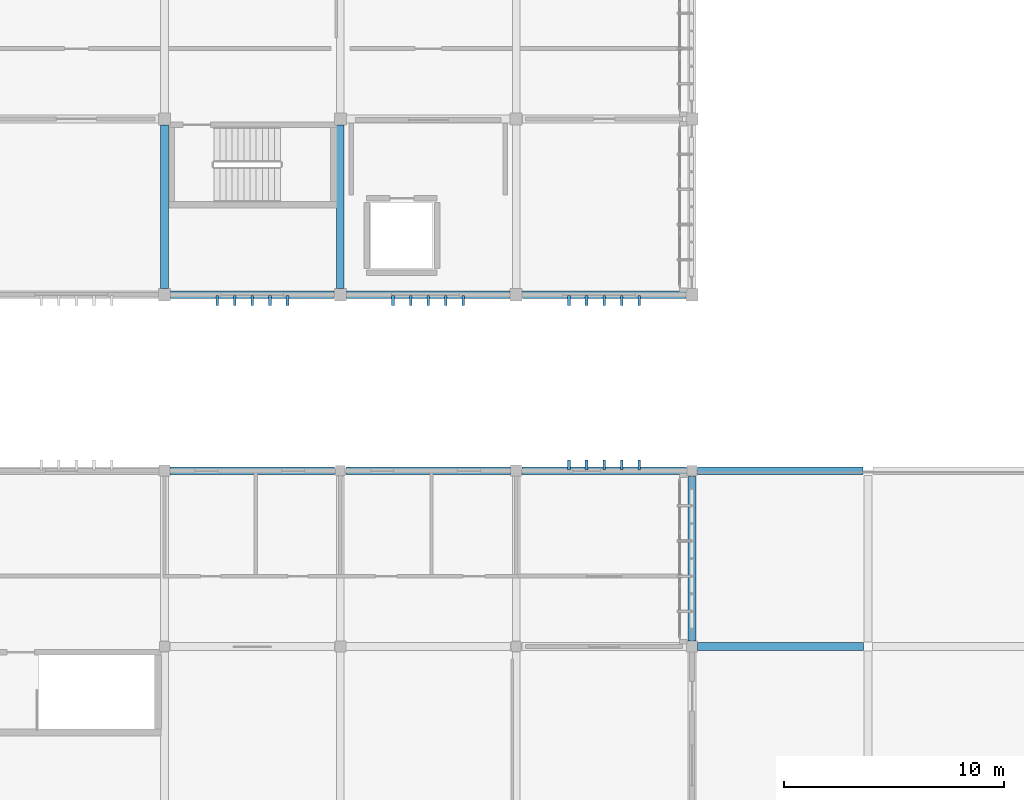
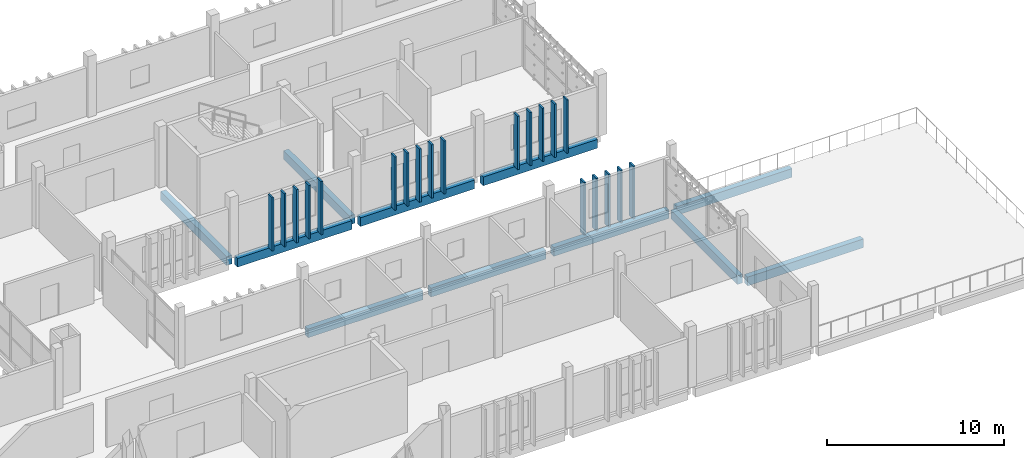
# One storey, part 13 of 32: 20 members, 11 beams.
"""IFC4 building model written with IfcOpenShell, lengths in metres."""

from ifc_helpers import new_model, si_unit, direction, frame, origin, origin_2d, place, context, subcontext, project, spatial, rectangle, extrude, material, material_profile, profile_set, type_object, element, save


model = new_model("IFC4")

# Units and contexts
model_context = context("Model", 3, precision=1e-05, world=origin(), true_north=direction((0.0, 1.0)))
body_context = subcontext(model_context, "Body", "Model", "MODEL_VIEW")
ifc_project = project(units=[si_unit("LENGTHUNIT", "METRE"), si_unit("AREAUNIT", "SQUARE_METRE"), si_unit("VOLUMEUNIT", "CUBIC_METRE"), si_unit("PLANEANGLEUNIT", "RADIAN"), si_unit("MASSUNIT", "GRAM", prefix="KILO")], contexts=[model_context])

# Site, building, storey
site_placement = place(None, origin())
site = spatial("IfcSite", under=ifc_project, at=site_placement, CompositionType="ELEMENT")
building_placement = place(site_placement, origin())
building = spatial("IfcBuilding", under=site, at=building_placement, Name="Jelvoka-Kovrelna Polytechnic", CompositionType="ELEMENT")
storey_placement = place(building_placement, frame((0.0, 0.0, 26.39990234375)))
storey = spatial("IfcBuildingStorey", under=building, at=storey_placement, Name="L07", CompositionType="ELEMENT", Elevation=26.39990234375)

# Beams
ifc_material_1 = material(Name="Concrete C35/45", Category="concrete")
ifc_material_profile_1 = material_profile(ifc_material_1, rectangle(XDim=0.35009765625, YDim=0.60009765625, at=origin_2d()), Name="RC 350x600")
ifc_profile_set_1 = profile_set([ifc_material_profile_1], Name="Concrete C35/45")
beam_type_1 = type_object("IfcBeamType", Name="Beam_RC_350x600", PredefinedType="BEAM", material=ifc_profile_set_1)
beam_1_placement = place(storey_placement, frame((184.0, 40.2548828125, -0.539794921875), z_axis=(0.0, 1.0, 0.0), x_axis=(-1.0, 0.0, 0.0)))
element("IfcBeam", 1, at=beam_1_placement, inside=storey, type_object=beam_type_1, Name="L07 beam 1826", PredefinedType="BEAM", context=body_context, shape_type="SweptSolid", body=[
    extrude(rectangle(XDim=0.35009765625, YDim=0.60009765625, at=origin_2d()), origin(), (0.0, 0.0, 1.0), 7.490234375),
])
for number, where, z_axis, x_axis, name in (
    (2, (160.0, 56.280029296875, -0.539794921875), (0.0, 1.0, 0.0), (-1.0, 0.0, 0.0), "L07 beam 1893"),
    (3, (168.0, 56.280029296875, -0.539794921875), (0.0, 1.0, 0.0), (-1.0, 0.0, 0.0), "L07 beam 1895"),
):
    element("IfcBeam", number, at=place(storey_placement, frame(where, z_axis=z_axis, x_axis=x_axis)), inside=storey, type_object=beam_type_1, Name=name, PredefinedType="BEAM", context=body_context, shape_type="SweptSolid", body=[
        extrude(rectangle(XDim=0.35009765625, YDim=0.60009765625, at=origin_2d()), origin(), (0.0, 0.0, 1.0), 7.43994140625),
    ])
beam_2_placement = place(storey_placement, frame((184.2548828125, 40.0, -0.52001953125), z_axis=(1.0, 0.0, 0.0), x_axis=(0.0, 1.0, 0.0)))
element("IfcBeam", 4, at=beam_2_placement, inside=storey, type_object=beam_type_1, Name="L07 beam 1905", PredefinedType="BEAM", context=body_context, shape_type="SweptSolid", body=[
    extrude(rectangle(XDim=0.35009765625, YDim=0.60009765625, at=origin_2d()), origin(), (0.0, 0.0, 1.0), 7.5400390625),
])

# Members
ifc_material_2 = material(Name="Precast concrete C40/50", Category="concrete")
ifc_material_profile_2 = material_profile(ifc_material_2, rectangle(XDim=0.1201171875, YDim=0.449951171875, at=origin_2d()), Name="PC 120x450")
ifc_profile_set_2 = profile_set([ifc_material_profile_2], Name="Precast concrete C40/50")
member_type = type_object("IfcMemberType", Name="Louvre_Fin_120x450", PredefinedType="USERDEFINED", material=ifc_profile_set_2)
for number, where, z_axis, x_axis, name in (
    (5, (178.39990234375, 48.264892578125, -0.27001953125), (0.0, 0.0, 1.0), (1.0, 0.0, 0.0), "L07 B2E north vertical solar louvre fin 1201"),
    (6, (179.199951171875, 48.264892578125, -0.27001953125), (0.0, 0.0, 1.0), (1.0, 0.0, 0.0), "L07 B2E north vertical solar louvre fin 1202"),
    (7, (180.0, 48.264892578125, -0.27001953125), (0.0, 0.0, 1.0), (1.0, 0.0, 0.0), "L07 B2E north vertical solar louvre fin 1203"),
    (8, (180.800048828125, 48.264892578125, -0.27001953125), (0.0, 0.0, 1.0), (1.0, 0.0, 0.0), "L07 B2E north vertical solar louvre fin 1204"),
    (9, (181.60009765625, 48.264892578125, -0.27001953125), (0.0, 0.0, 1.0), (1.0, 0.0, 0.0), "L07 B2E north vertical solar louvre fin 1205"),
):
    element("IfcMember", number, at=place(storey_placement, frame(where, z_axis=z_axis, x_axis=x_axis)), inside=storey, type_object=member_type, Name=name, ObjectType="SUNSHADE", PredefinedType="USERDEFINED", context=body_context, shape_type="SweptSolid", body=[
        extrude(rectangle(XDim=0.1201171875, YDim=0.449951171875, at=origin_2d()), origin(), (0.0, 0.0, 1.0), 3.655029296875),
    ])
for number, where, z_axis, x_axis, name in (
    (10, (162.39990234375, 55.735107421875, -0.27001953125), (0.0, 0.0, 1.0), (1.0, 0.0, 0.0), "L07 B3 south vertical solar louvre fin 2196"),
    (11, (163.199951171875, 55.735107421875, -0.27001953125), (0.0, 0.0, 1.0), (1.0, 0.0, 0.0), "L07 B3 south vertical solar louvre fin 2197"),
    (12, (164.0, 55.735107421875, -0.27001953125), (0.0, 0.0, 1.0), (1.0, 0.0, 0.0), "L07 B3 south vertical solar louvre fin 2198"),
    (13, (164.800048828125, 55.735107421875, -0.27001953125), (0.0, 0.0, 1.0), (1.0, 0.0, 0.0), "L07 B3 south vertical solar louvre fin 2199"),
    (14, (165.60009765625, 55.735107421875, -0.27001953125), (0.0, 0.0, 1.0), (1.0, 0.0, 0.0), "L07 B3 south vertical solar louvre fin 2200"),
    (15, (170.39990234375, 55.735107421875, -0.27001953125), (0.0, 0.0, 1.0), (1.0, 0.0, 0.0), "L07 B3 south vertical solar louvre fin 2206"),
    (16, (171.199951171875, 55.735107421875, -0.27001953125), (0.0, 0.0, 1.0), (1.0, 0.0, 0.0), "L07 B3 south vertical solar louvre fin 2207"),
    (17, (172.0, 55.735107421875, -0.27001953125), (0.0, 0.0, 1.0), (1.0, 0.0, 0.0), "L07 B3 south vertical solar louvre fin 2208"),
    (18, (172.800048828125, 55.735107421875, -0.27001953125), (0.0, 0.0, 1.0), (1.0, 0.0, 0.0), "L07 B3 south vertical solar louvre fin 2209"),
    (19, (173.60009765625, 55.735107421875, -0.27001953125), (0.0, 0.0, 1.0), (1.0, 0.0, 0.0), "L07 B3 south vertical solar louvre fin 2210"),
    (20, (178.39990234375, 55.735107421875, -0.27001953125), (0.0, 0.0, 1.0), (1.0, 0.0, 0.0), "L07 B3 south vertical solar louvre fin 2216"),
    (21, (179.199951171875, 55.735107421875, -0.27001953125), (0.0, 0.0, 1.0), (1.0, 0.0, 0.0), "L07 B3 south vertical solar louvre fin 2217"),
    (22, (180.0, 55.735107421875, -0.27001953125), (0.0, 0.0, 1.0), (1.0, 0.0, 0.0), "L07 B3 south vertical solar louvre fin 2218"),
    (23, (180.800048828125, 55.735107421875, -0.27001953125), (0.0, 0.0, 1.0), (1.0, 0.0, 0.0), "L07 B3 south vertical solar louvre fin 2219"),
    (24, (181.60009765625, 55.735107421875, -0.27001953125), (0.0, 0.0, 1.0), (1.0, 0.0, 0.0), "L07 B3 south vertical solar louvre fin 2220"),
):
    element("IfcMember", number, at=place(storey_placement, frame(where, z_axis=z_axis, x_axis=x_axis)), inside=storey, type_object=member_type, Name=name, ObjectType="SUNSHADE", PredefinedType="USERDEFINED", context=body_context, shape_type="SweptSolid", body=[
        extrude(rectangle(XDim=0.1201171875, YDim=0.449951171875, at=origin_2d()), origin(), (0.0, 0.0, 1.0), 3.670166015625),
    ])

# Beams
ifc_material_3 = material(Name="Concrete C40/50", Category="concrete")
ifc_material_profile_3 = material_profile(ifc_material_3, rectangle(XDim=0.35009765625, YDim=0.60009765625, at=origin_2d()), Name="RC 350x600")
ifc_profile_set_3 = profile_set([ifc_material_profile_3], Name="Concrete C40/50")
beam_type_2 = type_object("IfcBeamType", Name="Spandrel_RC_350x600", PredefinedType="SPANDREL", material=ifc_profile_set_3)
for number, where, z_axis, x_axis, name in (
    (25, (160.2548828125, 48.0, -0.539794921875), (1.0, 0.0, 0.0), (0.0, 1.0, 0.0), "L07 beam 1808"),
    (26, (168.2548828125, 48.0, -0.539794921875), (1.0, 0.0, 0.0), (0.0, 1.0, 0.0), "L07 beam 1809"),
    (27, (176.2548828125, 48.0, -0.539794921875), (1.0, 0.0, 0.0), (0.0, 1.0, 0.0), "L07 beam 1810"),
):
    element("IfcBeam", number, at=place(storey_placement, frame(where, z_axis=z_axis, x_axis=x_axis)), inside=storey, type_object=beam_type_2, Name=name, PredefinedType="SPANDREL", context=body_context, shape_type="SweptSolid", body=[
        extrude(rectangle(XDim=0.35009765625, YDim=0.60009765625, at=origin_2d()), origin(), (0.0, 0.0, 1.0), 7.490234375),
    ])
for number, where, z_axis, x_axis, name in (
    (28, (160.280029296875, 56.0, -0.539794921875), (1.0, 0.0, 0.0), (0.0, 1.0, 0.0), "L07 beam 1864"),
    (29, (168.280029296875, 56.0, -0.539794921875), (1.0, 0.0, 0.0), (0.0, 1.0, 0.0), "L07 beam 1865"),
    (30, (176.280029296875, 56.0, -0.539794921875), (1.0, 0.0, 0.0), (0.0, 1.0, 0.0), "L07 beam 1866"),
):
    element("IfcBeam", number, at=place(storey_placement, frame(where, z_axis=z_axis, x_axis=x_axis)), inside=storey, type_object=beam_type_2, Name=name, PredefinedType="SPANDREL", context=body_context, shape_type="SweptSolid", body=[
        extrude(rectangle(XDim=0.35009765625, YDim=0.60009765625, at=origin_2d()), origin(), (0.0, 0.0, 1.0), 7.43994140625),
    ])
beam_3_placement = place(storey_placement, frame((184.2548828125, 48.0, -0.52001953125), z_axis=(1.0, 0.0, 0.0), x_axis=(0.0, 1.0, 0.0)))
element("IfcBeam", 31, at=beam_3_placement, inside=storey, type_object=beam_type_2, Name="L07 beam 1907", PredefinedType="SPANDREL", context=body_context, shape_type="SweptSolid", body=[
    extrude(rectangle(XDim=0.35009765625, YDim=0.60009765625, at=origin_2d()), origin(), (0.0, 0.0, 1.0), 7.51513671875),
])

save(model, "model.ifc")
